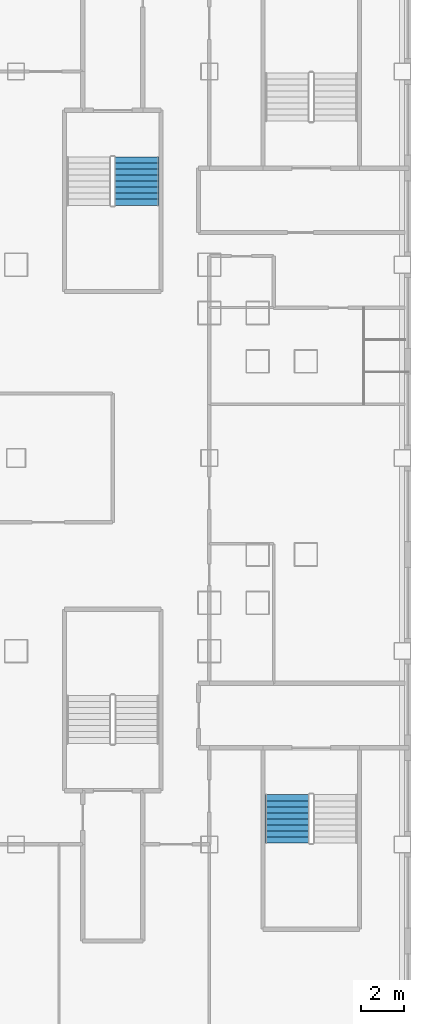
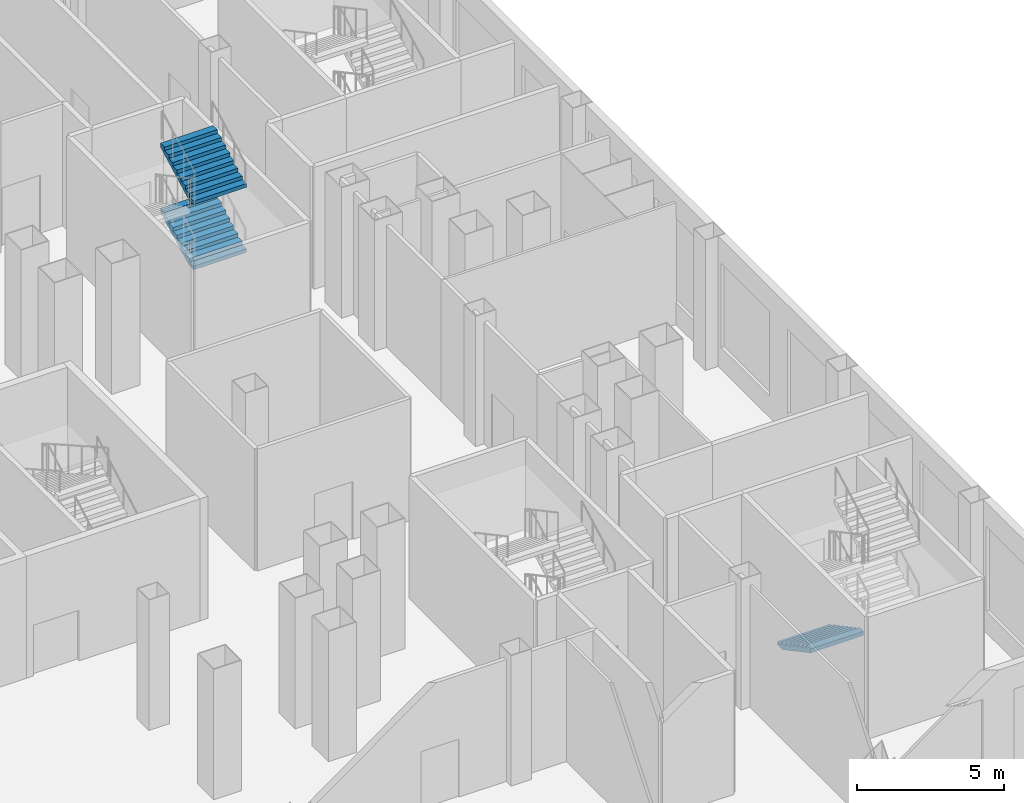
# One storey, part 19 of 27: 3 stair flights, 2 elements without a shape of their own.
"""IFC4 building model written with IfcOpenShell, lengths in metres."""

from ifc_helpers import new_model, si_unit, direction, frame, origin, place, context, subcontext, project, spatial, polygons, material, type_object, element, aggregate, save


model = new_model("IFC4")

# Units and contexts
model_context = context("Model", 3, precision=1e-05, world=origin(), true_north=direction((0.0, 1.0)))
body_context = subcontext(model_context, "Body", "Model", "MODEL_VIEW")
ifc_project = project(units=[si_unit("LENGTHUNIT", "METRE"), si_unit("AREAUNIT", "SQUARE_METRE"), si_unit("VOLUMEUNIT", "CUBIC_METRE"), si_unit("PLANEANGLEUNIT", "RADIAN"), si_unit("MASSUNIT", "GRAM", prefix="KILO")], contexts=[model_context])

# Site, building, storey
site_placement = place(None, origin())
site = spatial("IfcSite", under=ifc_project, at=site_placement, CompositionType="ELEMENT")
building_placement = place(site_placement, origin())
building = spatial("IfcBuilding", under=site, at=building_placement, Name="Caravel Reach Hotel and Residences", CompositionType="ELEMENT")
storey_placement = place(building_placement, frame((0.0, 0.0, 6.60009765625)))
storey = spatial("IfcBuildingStorey", under=building, at=storey_placement, Name="L01", CompositionType="ELEMENT", Elevation=6.60009765625)

# Stair, stair flights
ifc_material_1 = material(Name="Concrete C40", Category="concrete")
stair_type = type_object("IfcStairType", Name="Core stair", PredefinedType="HALF_TURN_STAIR", material=ifc_material_1)
stair_1_placement = place(storey_placement, origin())
stair_1 = element("IfcStair", 1, at=stair_1_placement, inside=storey, type_object=stair_type, Name="L01 Exit stair P2", PredefinedType="HALF_TURN_STAIR")
ifc_material_2 = material(Name="Concrete C40", Category="concrete")
stair_flight_type = type_object("IfcStairFlightType", Name="Core stair flight", PredefinedType="STRAIGHT", material=ifc_material_2)
stair_flight_1_placement = place(storey_placement, frame((55.110107421875, 38.77001953125, 1.349853515625), z_axis=(0.0, 0.0, 1.0), x_axis=(0.0, 1.0, 0.0)))
stair_flight_1 = element("IfcStairFlight", 2, at=stair_flight_1_placement, type_object=stair_flight_type, Name="ST-P2 flight 2", NumberOfRisers=9, NumberOfTreads=8, PredefinedType="STRAIGHT", RiserHeight=0.15, TreadLength=0.28, context=body_context, shape_type="Tessellation", body=[
    polygons([(0.3174408016601864, 1.0350341796875, 0.0), (0.3174408016601864, 0.6900227864583333, 0.0), (0.3174408016601864, 0.34501139322916663, 0.0), (0.3174408016601864, 0.0, 0.0), (0.3174408016601864, -0.34501139322916674, 0.0), (0.3174408016601864, -0.6900227864583333, 0.0), (0.3174408016601864, -1.0350341796875, 0.0), (2.241, 1.0350341796875, 1.029942427682043), (2.241, 0.6900227864583333, 1.029942427682043), (2.241, 0.34501139322916663, 1.029942427682043), (2.241, 0.0, 1.029942427682043), (2.241, -0.34501139322916674, 1.029942427682043), (2.241, -0.6900227864583333, 1.029942427682043), (2.241, -1.0350341796875, 1.029942427682043), (2.241, 1.0350341796875, 1.2), (2.241, 0.6900227864583333, 1.2), (2.241, 0.34501139322916663, 1.2), (2.241, 0.0, 1.2), (2.241, -0.34501139322916674, 1.2), (2.241, -0.6900227864583333, 1.2), (2.241, -1.0350341796875, 1.2), (1.9600000000000002, 1.0350341796875, 1.2), (1.9600000000000002, 0.6900227864583333, 1.2), (1.9600000000000002, 0.34501139322916663, 1.2), (1.9600000000000002, 0.0, 1.2), (1.9600000000000002, -0.34501139322916674, 1.2), (1.9600000000000002, -0.6900227864583333, 1.2), (1.9600000000000002, -1.0350341796875, 1.2), (1.9600000000000002, 1.0350341796875, 1.05), (1.9600000000000002, 0.6900227864583333, 1.05), (1.9600000000000002, 0.34501139322916663, 1.05), (1.9600000000000002, 0.0, 1.05), (1.9600000000000002, -0.34501139322916674, 1.05), (1.9600000000000002, -0.6900227864583333, 1.05), (1.9600000000000002, -1.0350341796875, 1.05), (1.6800000000000002, 1.0350341796875, 1.05), (1.6800000000000002, 0.6900227864583333, 1.05), (1.6800000000000002, 0.34501139322916663, 1.05), (1.6800000000000002, 0.0, 1.05), (1.6800000000000002, -0.34501139322916674, 1.05), (1.6800000000000002, -0.6900227864583333, 1.05), (1.6800000000000002, -1.0350341796875, 1.05), (1.6800000000000002, 1.0350341796875, 0.8999999999999999), (1.6800000000000002, 0.6900227864583333, 0.8999999999999999), (1.6800000000000002, 0.34501139322916663, 0.8999999999999999), (1.6800000000000002, 0.0, 0.8999999999999999), (1.6800000000000002, -0.34501139322916674, 0.8999999999999999), (1.6800000000000002, -0.6900227864583333, 0.8999999999999999), (1.6800000000000002, -1.0350341796875, 0.8999999999999999), (1.4000000000000001, 1.0350341796875, 0.8999999999999999), (1.4000000000000001, 0.6900227864583333, 0.8999999999999999), (1.4000000000000001, 0.34501139322916663, 0.8999999999999999), (1.4000000000000001, 0.0, 0.8999999999999999), (1.4000000000000001, -0.34501139322916674, 0.8999999999999999), (1.4000000000000001, -0.6900227864583333, 0.8999999999999999), (1.4000000000000001, -1.0350341796875, 0.8999999999999999), (1.4000000000000001, 1.0350341796875, 0.75), (1.4000000000000001, 0.6900227864583333, 0.75), (1.4000000000000001, 0.34501139322916663, 0.75), (1.4000000000000001, 0.0, 0.75), (1.4000000000000001, -0.34501139322916674, 0.75), (1.4000000000000001, -0.6900227864583333, 0.75), (1.4000000000000001, -1.0350341796875, 0.75), (1.12, 1.0350341796875, 0.75), (1.12, 0.6900227864583333, 0.75), (1.12, 0.34501139322916663, 0.75), (1.12, 0.0, 0.75), (1.12, -0.34501139322916674, 0.75), (1.12, -0.6900227864583333, 0.75), (1.12, -1.0350341796875, 0.75), (1.12, 1.0350341796875, 0.6), (1.12, 0.6900227864583333, 0.6), (1.12, 0.34501139322916663, 0.6), (1.12, 0.0, 0.6), (1.12, -0.34501139322916674, 0.6), (1.12, -0.6900227864583333, 0.6), (1.12, -1.0350341796875, 0.6), (0.8400000000000001, 1.0350341796875, 0.6), (0.8400000000000001, 0.6900227864583333, 0.6), (0.8400000000000001, 0.34501139322916663, 0.6), (0.8400000000000001, 0.0, 0.6), (0.8400000000000001, -0.34501139322916674, 0.6), (0.8400000000000001, -0.6900227864583333, 0.6), (0.8400000000000001, -1.0350341796875, 0.6), (0.8400000000000001, 1.0350341796875, 0.44999999999999996), (0.8400000000000001, 0.6900227864583333, 0.44999999999999996), (0.8400000000000001, 0.34501139322916663, 0.44999999999999996), (0.8400000000000001, 0.0, 0.44999999999999996), (0.8400000000000001, -0.34501139322916674, 0.44999999999999996), (0.8400000000000001, -0.6900227864583333, 0.44999999999999996), (0.8400000000000001, -1.0350341796875, 0.44999999999999996), (0.56, 1.0350341796875, 0.44999999999999996), (0.56, 0.6900227864583333, 0.44999999999999996), (0.56, 0.34501139322916663, 0.44999999999999996), (0.56, 0.0, 0.44999999999999996), (0.56, -0.34501139322916674, 0.44999999999999996), (0.56, -0.6900227864583333, 0.44999999999999996), (0.56, -1.0350341796875, 0.44999999999999996), (0.56, 1.0350341796875, 0.3), (0.56, 0.6900227864583333, 0.3), (0.56, 0.34501139322916663, 0.3), (0.56, 0.0, 0.3), (0.56, -0.34501139322916674, 0.3), (0.56, -0.6900227864583333, 0.3), (0.56, -1.0350341796875, 0.3), (0.28, 1.0350341796875, 0.3), (0.28, 0.6900227864583333, 0.3), (0.28, 0.34501139322916663, 0.3), (0.28, 0.0, 0.3), (0.28, -0.34501139322916674, 0.3), (0.28, -0.6900227864583333, 0.3), (0.28, -1.0350341796875, 0.3), (0.28, 1.0350341796875, 0.15), (0.28, 0.6900227864583333, 0.15), (0.28, 0.34501139322916663, 0.15), (0.28, 0.0, 0.15), (0.28, -0.34501139322916674, 0.15), (0.28, -0.6900227864583333, 0.15), (0.28, -1.0350341796875, 0.15), (-0.001, 1.0350341796875, 0.15), (-0.001, 0.6900227864583333, 0.15), (-0.001, 0.34501139322916663, 0.15), (-0.001, 0.0, 0.15), (-0.001, -0.34501139322916674, 0.15), (-0.001, -0.6900227864583333, 0.15), (-0.001, -1.0350341796875, 0.15), (-0.001, 1.0350341796875, 0.0), (-0.001, 0.6900227864583333, 0.0), (-0.001, 0.34501139322916663, 0.0), (-0.001, 0.0, 0.0), (-0.001, -0.34501139322916674, 0.0), (-0.001, -0.6900227864583333, 0.0), (-0.001, -1.0350341796875, 0.0)], [[[127, 120, 113, 106, 99, 92, 85, 78, 71, 64, 57, 50, 43, 36, 29, 22, 15, 8, 1]], [[7, 14, 21, 28, 35, 42, 49, 56, 63, 70, 77, 84, 91, 98, 105, 112, 119, 126, 133]], [[1, 8, 9, 2]], [[2, 9, 10, 3]], [[3, 10, 11, 4]], [[4, 11, 12, 5]], [[5, 12, 13, 6]], [[6, 13, 14, 7]], [[8, 15, 16, 9]], [[9, 16, 17, 10]], [[10, 17, 18, 11]], [[11, 18, 19, 12]], [[12, 19, 20, 13]], [[13, 20, 21, 14]], [[15, 22, 23, 16]], [[16, 23, 24, 17]], [[17, 24, 25, 18]], [[18, 25, 26, 19]], [[19, 26, 27, 20]], [[20, 27, 28, 21]], [[22, 29, 30, 23]], [[23, 30, 31, 24]], [[24, 31, 32, 25]], [[25, 32, 33, 26]], [[26, 33, 34, 27]], [[27, 34, 35, 28]], [[29, 36, 37, 30]], [[30, 37, 38, 31]], [[31, 38, 39, 32]], [[32, 39, 40, 33]], [[33, 40, 41, 34]], [[34, 41, 42, 35]], [[36, 43, 44, 37]], [[37, 44, 45, 38]], [[38, 45, 46, 39]], [[39, 46, 47, 40]], [[40, 47, 48, 41]], [[41, 48, 49, 42]], [[43, 50, 51, 44]], [[44, 51, 52, 45]], [[45, 52, 53, 46]], [[46, 53, 54, 47]], [[47, 54, 55, 48]], [[48, 55, 56, 49]], [[50, 57, 58, 51]], [[51, 58, 59, 52]], [[52, 59, 60, 53]], [[53, 60, 61, 54]], [[54, 61, 62, 55]], [[55, 62, 63, 56]], [[57, 64, 65, 58]], [[58, 65, 66, 59]], [[59, 66, 67, 60]], [[60, 67, 68, 61]], [[61, 68, 69, 62]], [[62, 69, 70, 63]], [[64, 71, 72, 65]], [[65, 72, 73, 66]], [[66, 73, 74, 67]], [[67, 74, 75, 68]], [[68, 75, 76, 69]], [[69, 76, 77, 70]], [[71, 78, 79, 72]], [[72, 79, 80, 73]], [[73, 80, 81, 74]], [[74, 81, 82, 75]], [[75, 82, 83, 76]], [[76, 83, 84, 77]], [[78, 85, 86, 79]], [[79, 86, 87, 80]], [[80, 87, 88, 81]], [[81, 88, 89, 82]], [[82, 89, 90, 83]], [[83, 90, 91, 84]], [[85, 92, 93, 86]], [[86, 93, 94, 87]], [[87, 94, 95, 88]], [[88, 95, 96, 89]], [[89, 96, 97, 90]], [[90, 97, 98, 91]], [[92, 99, 100, 93]], [[93, 100, 101, 94]], [[94, 101, 102, 95]], [[95, 102, 103, 96]], [[96, 103, 104, 97]], [[97, 104, 105, 98]], [[99, 106, 107, 100]], [[100, 107, 108, 101]], [[101, 108, 109, 102]], [[102, 109, 110, 103]], [[103, 110, 111, 104]], [[104, 111, 112, 105]], [[106, 113, 114, 107]], [[107, 114, 115, 108]], [[108, 115, 116, 109]], [[109, 116, 117, 110]], [[110, 117, 118, 111]], [[111, 118, 119, 112]], [[113, 120, 121, 114]], [[114, 121, 122, 115]], [[115, 122, 123, 116]], [[116, 123, 124, 117]], [[117, 124, 125, 118]], [[118, 125, 126, 119]], [[120, 127, 128, 121]], [[121, 128, 129, 122]], [[122, 129, 130, 123]], [[123, 130, 131, 124]], [[124, 131, 132, 125]], [[125, 132, 133, 126]], [[127, 1, 2, 128]], [[128, 2, 3, 129]], [[129, 3, 4, 130]], [[130, 4, 5, 131]], [[131, 5, 6, 132]], [[132, 6, 7, 133]]], closed=True),
])
stair_flight_2_placement = place(storey_placement, frame((55.110107421875, 38.77001953125, 4.0498046875), z_axis=(0.0, 0.0, 1.0), x_axis=(0.0, 1.0, 0.0)))
stair_flight_2 = element("IfcStairFlight", 3, at=stair_flight_2_placement, type_object=stair_flight_type, Name="ST-P2 flight 4", NumberOfRisers=9, NumberOfTreads=8, PredefinedType="STRAIGHT", RiserHeight=0.15, TreadLength=0.28, context=body_context, shape_type="Tessellation", body=[
    polygons([(0.3174408016601864, 1.0350341796875, 0.0), (0.3174408016601864, 0.6900227864583333, 0.0), (0.3174408016601864, 0.34501139322916663, 0.0), (0.3174408016601864, 0.0, 0.0), (0.3174408016601864, -0.34501139322916674, 0.0), (0.3174408016601864, -0.6900227864583333, 0.0), (0.3174408016601864, -1.0350341796875, 0.0), (2.241, 1.0350341796875, 1.029942427682043), (2.241, 0.6900227864583333, 1.029942427682043), (2.241, 0.34501139322916663, 1.029942427682043), (2.241, 0.0, 1.029942427682043), (2.241, -0.34501139322916674, 1.029942427682043), (2.241, -0.6900227864583333, 1.029942427682043), (2.241, -1.0350341796875, 1.029942427682043), (2.241, 1.0350341796875, 1.2), (2.241, 0.6900227864583333, 1.2), (2.241, 0.34501139322916663, 1.2), (2.241, 0.0, 1.2), (2.241, -0.34501139322916674, 1.2), (2.241, -0.6900227864583333, 1.2), (2.241, -1.0350341796875, 1.2), (1.9600000000000002, 1.0350341796875, 1.2), (1.9600000000000002, 0.6900227864583333, 1.2), (1.9600000000000002, 0.34501139322916663, 1.2), (1.9600000000000002, 0.0, 1.2), (1.9600000000000002, -0.34501139322916674, 1.2), (1.9600000000000002, -0.6900227864583333, 1.2), (1.9600000000000002, -1.0350341796875, 1.2), (1.9600000000000002, 1.0350341796875, 1.05), (1.9600000000000002, 0.6900227864583333, 1.05), (1.9600000000000002, 0.34501139322916663, 1.05), (1.9600000000000002, 0.0, 1.05), (1.9600000000000002, -0.34501139322916674, 1.05), (1.9600000000000002, -0.6900227864583333, 1.05), (1.9600000000000002, -1.0350341796875, 1.05), (1.6800000000000002, 1.0350341796875, 1.05), (1.6800000000000002, 0.6900227864583333, 1.05), (1.6800000000000002, 0.34501139322916663, 1.05), (1.6800000000000002, 0.0, 1.05), (1.6800000000000002, -0.34501139322916674, 1.05), (1.6800000000000002, -0.6900227864583333, 1.05), (1.6800000000000002, -1.0350341796875, 1.05), (1.6800000000000002, 1.0350341796875, 0.8999999999999999), (1.6800000000000002, 0.6900227864583333, 0.8999999999999999), (1.6800000000000002, 0.34501139322916663, 0.8999999999999999), (1.6800000000000002, 0.0, 0.8999999999999999), (1.6800000000000002, -0.34501139322916674, 0.8999999999999999), (1.6800000000000002, -0.6900227864583333, 0.8999999999999999), (1.6800000000000002, -1.0350341796875, 0.8999999999999999), (1.4000000000000001, 1.0350341796875, 0.8999999999999999), (1.4000000000000001, 0.6900227864583333, 0.8999999999999999), (1.4000000000000001, 0.34501139322916663, 0.8999999999999999), (1.4000000000000001, 0.0, 0.8999999999999999), (1.4000000000000001, -0.34501139322916674, 0.8999999999999999), (1.4000000000000001, -0.6900227864583333, 0.8999999999999999), (1.4000000000000001, -1.0350341796875, 0.8999999999999999), (1.4000000000000001, 1.0350341796875, 0.75), (1.4000000000000001, 0.6900227864583333, 0.75), (1.4000000000000001, 0.34501139322916663, 0.75), (1.4000000000000001, 0.0, 0.75), (1.4000000000000001, -0.34501139322916674, 0.75), (1.4000000000000001, -0.6900227864583333, 0.75), (1.4000000000000001, -1.0350341796875, 0.75), (1.12, 1.0350341796875, 0.75), (1.12, 0.6900227864583333, 0.75), (1.12, 0.34501139322916663, 0.75), (1.12, 0.0, 0.75), (1.12, -0.34501139322916674, 0.75), (1.12, -0.6900227864583333, 0.75), (1.12, -1.0350341796875, 0.75), (1.12, 1.0350341796875, 0.6), (1.12, 0.6900227864583333, 0.6), (1.12, 0.34501139322916663, 0.6), (1.12, 0.0, 0.6), (1.12, -0.34501139322916674, 0.6), (1.12, -0.6900227864583333, 0.6), (1.12, -1.0350341796875, 0.6), (0.8400000000000001, 1.0350341796875, 0.6), (0.8400000000000001, 0.6900227864583333, 0.6), (0.8400000000000001, 0.34501139322916663, 0.6), (0.8400000000000001, 0.0, 0.6), (0.8400000000000001, -0.34501139322916674, 0.6), (0.8400000000000001, -0.6900227864583333, 0.6), (0.8400000000000001, -1.0350341796875, 0.6), (0.8400000000000001, 1.0350341796875, 0.44999999999999996), (0.8400000000000001, 0.6900227864583333, 0.44999999999999996), (0.8400000000000001, 0.34501139322916663, 0.44999999999999996), (0.8400000000000001, 0.0, 0.44999999999999996), (0.8400000000000001, -0.34501139322916674, 0.44999999999999996), (0.8400000000000001, -0.6900227864583333, 0.44999999999999996), (0.8400000000000001, -1.0350341796875, 0.44999999999999996), (0.56, 1.0350341796875, 0.44999999999999996), (0.56, 0.6900227864583333, 0.44999999999999996), (0.56, 0.34501139322916663, 0.44999999999999996), (0.56, 0.0, 0.44999999999999996), (0.56, -0.34501139322916674, 0.44999999999999996), (0.56, -0.6900227864583333, 0.44999999999999996), (0.56, -1.0350341796875, 0.44999999999999996), (0.56, 1.0350341796875, 0.3), (0.56, 0.6900227864583333, 0.3), (0.56, 0.34501139322916663, 0.3), (0.56, 0.0, 0.3), (0.56, -0.34501139322916674, 0.3), (0.56, -0.6900227864583333, 0.3), (0.56, -1.0350341796875, 0.3), (0.28, 1.0350341796875, 0.3), (0.28, 0.6900227864583333, 0.3), (0.28, 0.34501139322916663, 0.3), (0.28, 0.0, 0.3), (0.28, -0.34501139322916674, 0.3), (0.28, -0.6900227864583333, 0.3), (0.28, -1.0350341796875, 0.3), (0.28, 1.0350341796875, 0.15), (0.28, 0.6900227864583333, 0.15), (0.28, 0.34501139322916663, 0.15), (0.28, 0.0, 0.15), (0.28, -0.34501139322916674, 0.15), (0.28, -0.6900227864583333, 0.15), (0.28, -1.0350341796875, 0.15), (-0.001, 1.0350341796875, 0.15), (-0.001, 0.6900227864583333, 0.15), (-0.001, 0.34501139322916663, 0.15), (-0.001, 0.0, 0.15), (-0.001, -0.34501139322916674, 0.15), (-0.001, -0.6900227864583333, 0.15), (-0.001, -1.0350341796875, 0.15), (-0.001, 1.0350341796875, 0.0), (-0.001, 0.6900227864583333, 0.0), (-0.001, 0.34501139322916663, 0.0), (-0.001, 0.0, 0.0), (-0.001, -0.34501139322916674, 0.0), (-0.001, -0.6900227864583333, 0.0), (-0.001, -1.0350341796875, 0.0)], [[[127, 120, 113, 106, 99, 92, 85, 78, 71, 64, 57, 50, 43, 36, 29, 22, 15, 8, 1]], [[7, 14, 21, 28, 35, 42, 49, 56, 63, 70, 77, 84, 91, 98, 105, 112, 119, 126, 133]], [[1, 8, 9, 2]], [[2, 9, 10, 3]], [[3, 10, 11, 4]], [[4, 11, 12, 5]], [[5, 12, 13, 6]], [[6, 13, 14, 7]], [[8, 15, 16, 9]], [[9, 16, 17, 10]], [[10, 17, 18, 11]], [[11, 18, 19, 12]], [[12, 19, 20, 13]], [[13, 20, 21, 14]], [[15, 22, 23, 16]], [[16, 23, 24, 17]], [[17, 24, 25, 18]], [[18, 25, 26, 19]], [[19, 26, 27, 20]], [[20, 27, 28, 21]], [[22, 29, 30, 23]], [[23, 30, 31, 24]], [[24, 31, 32, 25]], [[25, 32, 33, 26]], [[26, 33, 34, 27]], [[27, 34, 35, 28]], [[29, 36, 37, 30]], [[30, 37, 38, 31]], [[31, 38, 39, 32]], [[32, 39, 40, 33]], [[33, 40, 41, 34]], [[34, 41, 42, 35]], [[36, 43, 44, 37]], [[37, 44, 45, 38]], [[38, 45, 46, 39]], [[39, 46, 47, 40]], [[40, 47, 48, 41]], [[41, 48, 49, 42]], [[43, 50, 51, 44]], [[44, 51, 52, 45]], [[45, 52, 53, 46]], [[46, 53, 54, 47]], [[47, 54, 55, 48]], [[48, 55, 56, 49]], [[50, 57, 58, 51]], [[51, 58, 59, 52]], [[52, 59, 60, 53]], [[53, 60, 61, 54]], [[54, 61, 62, 55]], [[55, 62, 63, 56]], [[57, 64, 65, 58]], [[58, 65, 66, 59]], [[59, 66, 67, 60]], [[60, 67, 68, 61]], [[61, 68, 69, 62]], [[62, 69, 70, 63]], [[64, 71, 72, 65]], [[65, 72, 73, 66]], [[66, 73, 74, 67]], [[67, 74, 75, 68]], [[68, 75, 76, 69]], [[69, 76, 77, 70]], [[71, 78, 79, 72]], [[72, 79, 80, 73]], [[73, 80, 81, 74]], [[74, 81, 82, 75]], [[75, 82, 83, 76]], [[76, 83, 84, 77]], [[78, 85, 86, 79]], [[79, 86, 87, 80]], [[80, 87, 88, 81]], [[81, 88, 89, 82]], [[82, 89, 90, 83]], [[83, 90, 91, 84]], [[85, 92, 93, 86]], [[86, 93, 94, 87]], [[87, 94, 95, 88]], [[88, 95, 96, 89]], [[89, 96, 97, 90]], [[90, 97, 98, 91]], [[92, 99, 100, 93]], [[93, 100, 101, 94]], [[94, 101, 102, 95]], [[95, 102, 103, 96]], [[96, 103, 104, 97]], [[97, 104, 105, 98]], [[99, 106, 107, 100]], [[100, 107, 108, 101]], [[101, 108, 109, 102]], [[102, 109, 110, 103]], [[103, 110, 111, 104]], [[104, 111, 112, 105]], [[106, 113, 114, 107]], [[107, 114, 115, 108]], [[108, 115, 116, 109]], [[109, 116, 117, 110]], [[110, 117, 118, 111]], [[111, 118, 119, 112]], [[113, 120, 121, 114]], [[114, 121, 122, 115]], [[115, 122, 123, 116]], [[116, 123, 124, 117]], [[117, 124, 125, 118]], [[118, 125, 126, 119]], [[120, 127, 128, 121]], [[121, 128, 129, 122]], [[122, 129, 130, 123]], [[123, 130, 131, 124]], [[124, 131, 132, 125]], [[125, 132, 133, 126]], [[127, 1, 2, 128]], [[128, 2, 3, 129]], [[129, 3, 4, 130]], [[130, 4, 5, 131]], [[131, 5, 6, 132]], [[132, 6, 7, 133]]], closed=True),
])
aggregate(stair_1, [stair_flight_1, stair_flight_2])

# Stair, stair flight
stair_2_placement = place(storey_placement, origin())
stair_2 = element("IfcStair", 4, at=stair_2_placement, inside=storey, type_object=stair_type, Name="L01 Exit stair P7", PredefinedType="HALF_TURN_STAIR")
stair_flight_3_placement = place(storey_placement, frame((62.139892578125, 11.31005859375, 0.0), z_axis=(0.0, 0.0, 1.0), x_axis=(0.0, -1.0, 0.0)))
stair_flight_3 = element("IfcStairFlight", 5, at=stair_flight_3_placement, type_object=stair_flight_type, Name="ST-P7 flight 1", NumberOfRisers=9, NumberOfTreads=8, PredefinedType="STRAIGHT", RiserHeight=0.15, TreadLength=0.28, context=body_context, shape_type="Tessellation", body=[
    polygons([(0.3174408016601864, 1.0350341796875, 0.0), (0.3174408016601864, 0.6900227864583333, 0.0), (0.3174408016601864, 0.34501139322916663, 0.0), (0.3174408016601864, 0.0, 0.0), (0.3174408016601864, -0.34501139322916674, 0.0), (0.3174408016601864, -0.6900227864583333, 0.0), (0.3174408016601864, -1.0350341796875, 0.0), (2.241, 1.0350341796875, 1.029942427682043), (2.241, 0.6900227864583333, 1.029942427682043), (2.241, 0.34501139322916663, 1.029942427682043), (2.241, 0.0, 1.029942427682043), (2.241, -0.34501139322916674, 1.029942427682043), (2.241, -0.6900227864583333, 1.029942427682043), (2.241, -1.0350341796875, 1.029942427682043), (2.241, 1.0350341796875, 1.2), (2.241, 0.6900227864583333, 1.2), (2.241, 0.34501139322916663, 1.2), (2.241, 0.0, 1.2), (2.241, -0.34501139322916674, 1.2), (2.241, -0.6900227864583333, 1.2), (2.241, -1.0350341796875, 1.2), (1.9600000000000002, 1.0350341796875, 1.2), (1.9600000000000002, 0.6900227864583333, 1.2), (1.9600000000000002, 0.34501139322916663, 1.2), (1.9600000000000002, 0.0, 1.2), (1.9600000000000002, -0.34501139322916674, 1.2), (1.9600000000000002, -0.6900227864583333, 1.2), (1.9600000000000002, -1.0350341796875, 1.2), (1.9600000000000002, 1.0350341796875, 1.05), (1.9600000000000002, 0.6900227864583333, 1.05), (1.9600000000000002, 0.34501139322916663, 1.05), (1.9600000000000002, 0.0, 1.05), (1.9600000000000002, -0.34501139322916674, 1.05), (1.9600000000000002, -0.6900227864583333, 1.05), (1.9600000000000002, -1.0350341796875, 1.05), (1.6800000000000002, 1.0350341796875, 1.05), (1.6800000000000002, 0.6900227864583333, 1.05), (1.6800000000000002, 0.34501139322916663, 1.05), (1.6800000000000002, 0.0, 1.05), (1.6800000000000002, -0.34501139322916674, 1.05), (1.6800000000000002, -0.6900227864583333, 1.05), (1.6800000000000002, -1.0350341796875, 1.05), (1.6800000000000002, 1.0350341796875, 0.8999999999999999), (1.6800000000000002, 0.6900227864583333, 0.8999999999999999), (1.6800000000000002, 0.34501139322916663, 0.8999999999999999), (1.6800000000000002, 0.0, 0.8999999999999999), (1.6800000000000002, -0.34501139322916674, 0.8999999999999999), (1.6800000000000002, -0.6900227864583333, 0.8999999999999999), (1.6800000000000002, -1.0350341796875, 0.8999999999999999), (1.4000000000000001, 1.0350341796875, 0.8999999999999999), (1.4000000000000001, 0.6900227864583333, 0.8999999999999999), (1.4000000000000001, 0.34501139322916663, 0.8999999999999999), (1.4000000000000001, 0.0, 0.8999999999999999), (1.4000000000000001, -0.34501139322916674, 0.8999999999999999), (1.4000000000000001, -0.6900227864583333, 0.8999999999999999), (1.4000000000000001, -1.0350341796875, 0.8999999999999999), (1.4000000000000001, 1.0350341796875, 0.75), (1.4000000000000001, 0.6900227864583333, 0.75), (1.4000000000000001, 0.34501139322916663, 0.75), (1.4000000000000001, 0.0, 0.75), (1.4000000000000001, -0.34501139322916674, 0.75), (1.4000000000000001, -0.6900227864583333, 0.75), (1.4000000000000001, -1.0350341796875, 0.75), (1.12, 1.0350341796875, 0.75), (1.12, 0.6900227864583333, 0.75), (1.12, 0.34501139322916663, 0.75), (1.12, 0.0, 0.75), (1.12, -0.34501139322916674, 0.75), (1.12, -0.6900227864583333, 0.75), (1.12, -1.0350341796875, 0.75), (1.12, 1.0350341796875, 0.6), (1.12, 0.6900227864583333, 0.6), (1.12, 0.34501139322916663, 0.6), (1.12, 0.0, 0.6), (1.12, -0.34501139322916674, 0.6), (1.12, -0.6900227864583333, 0.6), (1.12, -1.0350341796875, 0.6), (0.8400000000000001, 1.0350341796875, 0.6), (0.8400000000000001, 0.6900227864583333, 0.6), (0.8400000000000001, 0.34501139322916663, 0.6), (0.8400000000000001, 0.0, 0.6), (0.8400000000000001, -0.34501139322916674, 0.6), (0.8400000000000001, -0.6900227864583333, 0.6), (0.8400000000000001, -1.0350341796875, 0.6), (0.8400000000000001, 1.0350341796875, 0.44999999999999996), (0.8400000000000001, 0.6900227864583333, 0.44999999999999996), (0.8400000000000001, 0.34501139322916663, 0.44999999999999996), (0.8400000000000001, 0.0, 0.44999999999999996), (0.8400000000000001, -0.34501139322916674, 0.44999999999999996), (0.8400000000000001, -0.6900227864583333, 0.44999999999999996), (0.8400000000000001, -1.0350341796875, 0.44999999999999996), (0.56, 1.0350341796875, 0.44999999999999996), (0.56, 0.6900227864583333, 0.44999999999999996), (0.56, 0.34501139322916663, 0.44999999999999996), (0.56, 0.0, 0.44999999999999996), (0.56, -0.34501139322916674, 0.44999999999999996), (0.56, -0.6900227864583333, 0.44999999999999996), (0.56, -1.0350341796875, 0.44999999999999996), (0.56, 1.0350341796875, 0.3), (0.56, 0.6900227864583333, 0.3), (0.56, 0.34501139322916663, 0.3), (0.56, 0.0, 0.3), (0.56, -0.34501139322916674, 0.3), (0.56, -0.6900227864583333, 0.3), (0.56, -1.0350341796875, 0.3), (0.28, 1.0350341796875, 0.3), (0.28, 0.6900227864583333, 0.3), (0.28, 0.34501139322916663, 0.3), (0.28, 0.0, 0.3), (0.28, -0.34501139322916674, 0.3), (0.28, -0.6900227864583333, 0.3), (0.28, -1.0350341796875, 0.3), (0.28, 1.0350341796875, 0.15), (0.28, 0.6900227864583333, 0.15), (0.28, 0.34501139322916663, 0.15), (0.28, 0.0, 0.15), (0.28, -0.34501139322916674, 0.15), (0.28, -0.6900227864583333, 0.15), (0.28, -1.0350341796875, 0.15), (-0.001, 1.0350341796875, 0.15), (-0.001, 0.6900227864583333, 0.15), (-0.001, 0.34501139322916663, 0.15), (-0.001, 0.0, 0.15), (-0.001, -0.34501139322916674, 0.15), (-0.001, -0.6900227864583333, 0.15), (-0.001, -1.0350341796875, 0.15), (-0.001, 1.0350341796875, 0.0), (-0.001, 0.6900227864583333, 0.0), (-0.001, 0.34501139322916663, 0.0), (-0.001, 0.0, 0.0), (-0.001, -0.34501139322916674, 0.0), (-0.001, -0.6900227864583333, 0.0), (-0.001, -1.0350341796875, 0.0)], [[[127, 120, 113, 106, 99, 92, 85, 78, 71, 64, 57, 50, 43, 36, 29, 22, 15, 8, 1]], [[7, 14, 21, 28, 35, 42, 49, 56, 63, 70, 77, 84, 91, 98, 105, 112, 119, 126, 133]], [[1, 8, 9, 2]], [[2, 9, 10, 3]], [[3, 10, 11, 4]], [[4, 11, 12, 5]], [[5, 12, 13, 6]], [[6, 13, 14, 7]], [[8, 15, 16, 9]], [[9, 16, 17, 10]], [[10, 17, 18, 11]], [[11, 18, 19, 12]], [[12, 19, 20, 13]], [[13, 20, 21, 14]], [[15, 22, 23, 16]], [[16, 23, 24, 17]], [[17, 24, 25, 18]], [[18, 25, 26, 19]], [[19, 26, 27, 20]], [[20, 27, 28, 21]], [[22, 29, 30, 23]], [[23, 30, 31, 24]], [[24, 31, 32, 25]], [[25, 32, 33, 26]], [[26, 33, 34, 27]], [[27, 34, 35, 28]], [[29, 36, 37, 30]], [[30, 37, 38, 31]], [[31, 38, 39, 32]], [[32, 39, 40, 33]], [[33, 40, 41, 34]], [[34, 41, 42, 35]], [[36, 43, 44, 37]], [[37, 44, 45, 38]], [[38, 45, 46, 39]], [[39, 46, 47, 40]], [[40, 47, 48, 41]], [[41, 48, 49, 42]], [[43, 50, 51, 44]], [[44, 51, 52, 45]], [[45, 52, 53, 46]], [[46, 53, 54, 47]], [[47, 54, 55, 48]], [[48, 55, 56, 49]], [[50, 57, 58, 51]], [[51, 58, 59, 52]], [[52, 59, 60, 53]], [[53, 60, 61, 54]], [[54, 61, 62, 55]], [[55, 62, 63, 56]], [[57, 64, 65, 58]], [[58, 65, 66, 59]], [[59, 66, 67, 60]], [[60, 67, 68, 61]], [[61, 68, 69, 62]], [[62, 69, 70, 63]], [[64, 71, 72, 65]], [[65, 72, 73, 66]], [[66, 73, 74, 67]], [[67, 74, 75, 68]], [[68, 75, 76, 69]], [[69, 76, 77, 70]], [[71, 78, 79, 72]], [[72, 79, 80, 73]], [[73, 80, 81, 74]], [[74, 81, 82, 75]], [[75, 82, 83, 76]], [[76, 83, 84, 77]], [[78, 85, 86, 79]], [[79, 86, 87, 80]], [[80, 87, 88, 81]], [[81, 88, 89, 82]], [[82, 89, 90, 83]], [[83, 90, 91, 84]], [[85, 92, 93, 86]], [[86, 93, 94, 87]], [[87, 94, 95, 88]], [[88, 95, 96, 89]], [[89, 96, 97, 90]], [[90, 97, 98, 91]], [[92, 99, 100, 93]], [[93, 100, 101, 94]], [[94, 101, 102, 95]], [[95, 102, 103, 96]], [[96, 103, 104, 97]], [[97, 104, 105, 98]], [[99, 106, 107, 100]], [[100, 107, 108, 101]], [[101, 108, 109, 102]], [[102, 109, 110, 103]], [[103, 110, 111, 104]], [[104, 111, 112, 105]], [[106, 113, 114, 107]], [[107, 114, 115, 108]], [[108, 115, 116, 109]], [[109, 116, 117, 110]], [[110, 117, 118, 111]], [[111, 118, 119, 112]], [[113, 120, 121, 114]], [[114, 121, 122, 115]], [[115, 122, 123, 116]], [[116, 123, 124, 117]], [[117, 124, 125, 118]], [[118, 125, 126, 119]], [[120, 127, 128, 121]], [[121, 128, 129, 122]], [[122, 129, 130, 123]], [[123, 130, 131, 124]], [[124, 131, 132, 125]], [[125, 132, 133, 126]], [[127, 1, 2, 128]], [[128, 2, 3, 129]], [[129, 3, 4, 130]], [[130, 4, 5, 131]], [[131, 5, 6, 132]], [[132, 6, 7, 133]]], closed=True),
])
aggregate(stair_2, [stair_flight_3])

save(model, "model.ifc")
